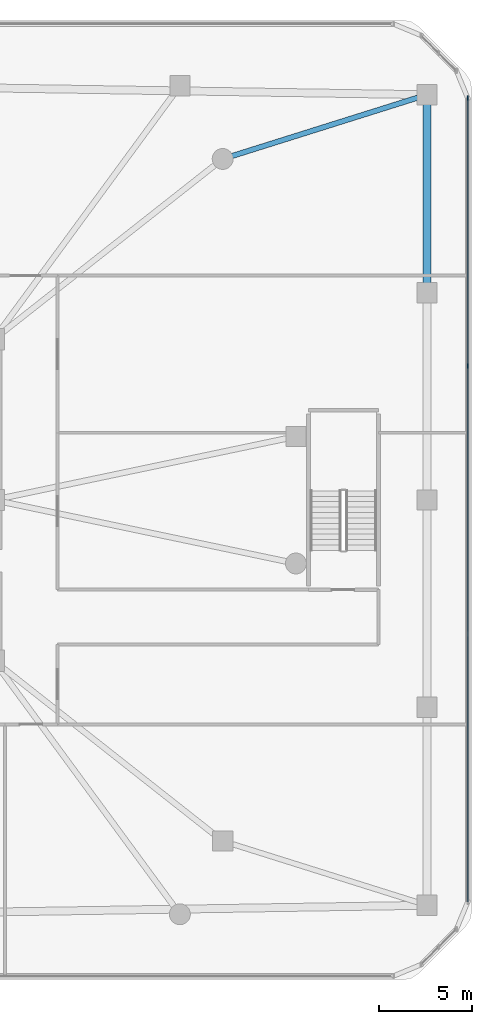
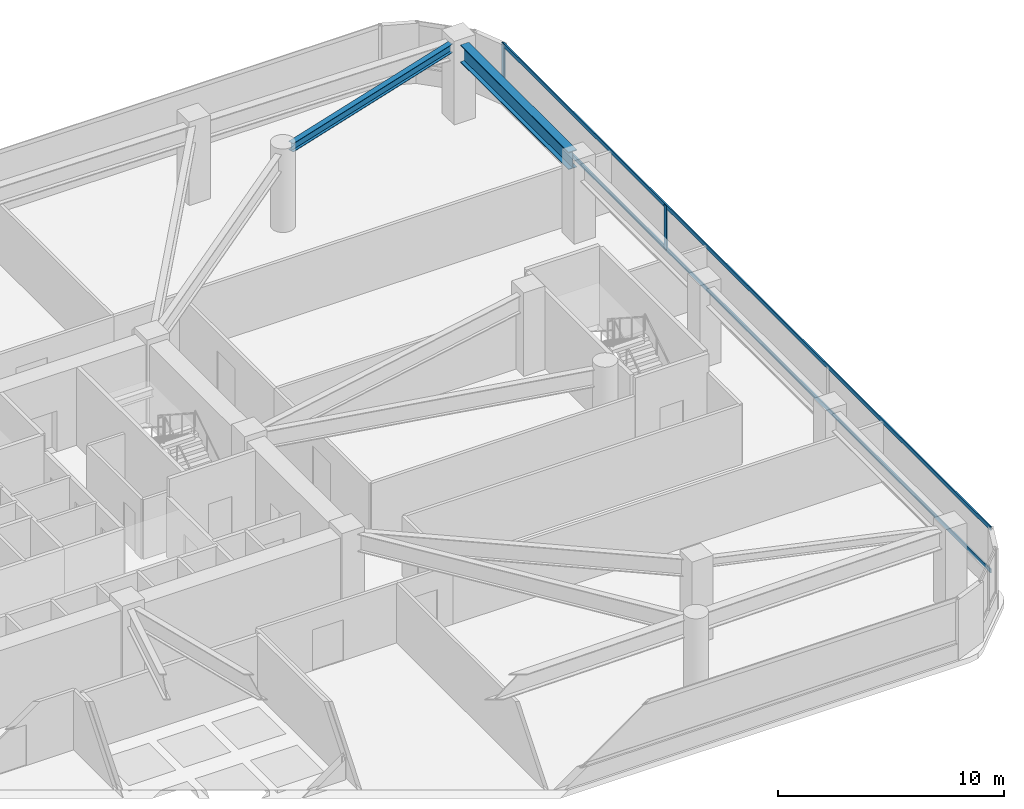
# One storey, part 10 of 21: 4 members, 2 beams, 1 element without a shape of its own.
"""IFC4 building model written with IfcOpenShell, lengths in metres."""

from ifc_helpers import new_model, si_unit, derived_unit, direction, frame, origin, origin_2d, place, context, subcontext, project, spatial, rectangle, i_section, extrude, material, material_profile, profile_set, type_object, element, aggregate, save


model = new_model("IFC4")

# Units and contexts
model_context = context("Model", 3, precision=1e-05, world=origin(), true_north=direction((0.0, 1.0)))
body_context = subcontext(model_context, "Body", "Model", "MODEL_VIEW")
ifc_project = project(units=[si_unit("LENGTHUNIT", "METRE"), si_unit("AREAUNIT", "SQUARE_METRE"), si_unit("VOLUMEUNIT", "CUBIC_METRE"), si_unit("PLANEANGLEUNIT", "RADIAN"), si_unit("MASSUNIT", "GRAM", prefix="KILO"), derived_unit("THERMALTRANSMITTANCEUNIT", [(si_unit("POWERUNIT", "WATT"), 1), (si_unit("LENGTHUNIT", "METRE"), -2), (si_unit("THERMODYNAMICTEMPERATUREUNIT", "KELVIN"), -1)])], contexts=[model_context])

# Site, building, storey
site_placement = place(None, origin())
site = spatial("IfcSite", under=ifc_project, at=site_placement, CompositionType="ELEMENT")
building_placement = place(site_placement, origin())
building = spatial("IfcBuilding", under=site, at=building_placement, Name="Koralith Skygarden Medical Center", CompositionType="ELEMENT")
storey_placement = place(building_placement, frame((0.0, 0.0, 9.89990234375)))
storey = spatial("IfcBuildingStorey", under=building, at=storey_placement, Name="L02", CompositionType="ELEMENT", Elevation=9.89990234375)

# Curtain wall, members
ifc_material_1 = material(Name="Clear Laminated Glass", Category="glass")
curtain_wall_type = type_object("IfcCurtainWallType", Name="CW-1 Transit & Podium Acoustic Curtain Wall", PredefinedType="NOTDEFINED", material=ifc_material_1)
curtain_wall_placement = place(storey_placement, origin())
curtain_wall = element("IfcCurtainWall", 1, at=curtain_wall_placement, inside=storey, type_object=curtain_wall_type, Name="Curtain Wall CW-L02-E", PredefinedType="NOTDEFINED")
ifc_material_2 = material(Name="Aluminium 6063-T6", Category="aluminium")
ifc_material_profile_1 = material_profile(ifc_material_2, rectangle(XDim=0.068115234375, YDim=0.239990234375, at=origin_2d()), Name="MUL68X240")
ifc_profile_set_1 = profile_set([ifc_material_profile_1], Name="Aluminium 6063-T6")
member_type_1 = type_object("IfcMemberType", Name="CW-1 Extruded Mullion 68x240", PredefinedType="MULLION", material=ifc_profile_set_1)
member_1_placement = place(storey_placement, frame((73.580078125, 33.073974609375, 0.85009765625), z_axis=(0.0, 0.0, 1.0), x_axis=(1.0, 0.0, 0.0)))
member_1 = element("IfcMember", 2, at=member_1_placement, type_object=member_type_1, Name="CW-L02-E Mullion 3", PredefinedType="MULLION", context=body_context, shape_type="SweptSolid", body=[
    extrude(rectangle(XDim=0.068115234375, YDim=0.239990234375, at=origin_2d()), origin(), (0.0, 0.0, 1.0), 2.389892578125),
])
member_2_placement = place(storey_placement, frame((73.580078125, 47.4208984375, 0.85009765625), z_axis=(0.0, 0.0, 1.0), x_axis=(1.0, 0.0, 0.0)))
member_2 = element("IfcMember", 3, at=member_2_placement, type_object=member_type_1, Name="CW-L02-E Mullion 4", PredefinedType="MULLION", context=body_context, shape_type="SweptSolid", body=[
    extrude(rectangle(XDim=0.068115234375, YDim=0.239990234375, at=origin_2d()), origin(), (0.0, 0.0, 1.0), 2.389892578125),
])
ifc_material_profile_2 = material_profile(ifc_material_2, rectangle(XDim=0.06298828125, YDim=0.216064453125, at=origin_2d()), Name="TRN63X216")
ifc_profile_set_2 = profile_set([ifc_material_profile_2], Name="Aluminium 6063-T6")
member_type_2 = type_object("IfcMemberType", Name="CW-1 Thermal Transom 63x216", PredefinedType="USERDEFINED", material=ifc_profile_set_2)
member_3_placement = place(storey_placement, frame((73.580078125, 4.37890625, 0.900146484375), z_axis=(0.0, 1.0, 0.0), x_axis=(-1.0, 0.0, 0.0)))
member_3 = element("IfcMember", 4, at=member_3_placement, type_object=member_type_2, Name="CW-L02-E Transom 1", ObjectType="TRANSOM", PredefinedType="USERDEFINED", context=body_context, shape_type="SweptSolid", body=[
    extrude(rectangle(XDim=0.06298828125, YDim=0.216064453125, at=origin_2d()), origin(), (0.0, 0.0, 1.0), 43.0419921875),
])
member_4_placement = place(storey_placement, frame((73.580078125, 4.37890625, 3.190185546875), z_axis=(0.0, 1.0, 0.0), x_axis=(-1.0, 0.0, 0.0)))
member_4 = element("IfcMember", 5, at=member_4_placement, type_object=member_type_2, Name="CW-L02-E Transom 2", ObjectType="TRANSOM", PredefinedType="USERDEFINED", context=body_context, shape_type="SweptSolid", body=[
    extrude(rectangle(XDim=0.06298828125, YDim=0.216064453125, at=origin_2d()), origin(), (0.0, 0.0, 1.0), 43.0419921875),
])
aggregate(curtain_wall, [member_1, member_2, member_3, member_4])

# Beams
ifc_material_3 = material(Name="Steel ASTM A992 Grade 50", Category="steel")
ifc_material_profile_3 = material_profile(ifc_material_3, i_section(OverallWidth=0.423095703125, OverallDepth=0.947998046875, WebThickness=0.02392578125, FlangeThickness=0.042724609375, at=origin_2d()), Name="W36X302")
ifc_profile_set_3 = profile_set([ifc_material_profile_3], Name="Steel ASTM A992 Grade 50")
beam_type_1 = type_object("IfcBeamType", Name="Podium Concourse Girder W36X302", PredefinedType="BEAM", material=ifc_profile_set_3)
beam_1_placement = place(storey_placement, frame((71.39990234375, 37.52001953125, 3.72607421875), z_axis=(0.0, 1.0, 0.0), x_axis=(-1.0, 0.0, 0.0)))
element("IfcBeam", 6, at=beam_1_placement, inside=storey, type_object=beam_type_1, Name="L02 Podium Perimeter Beam PB-08", PredefinedType="BEAM", context=body_context, shape_type="SweptSolid", body=[
    extrude(i_section(OverallWidth=0.423095703125, OverallDepth=0.947998046875, WebThickness=0.02392578125, FlangeThickness=0.042724609375, at=origin_2d()), origin(), (0.0, 0.0, 1.0), 9.56005859375),
])
ifc_material_profile_4 = material_profile(ifc_material_3, i_section(OverallWidth=0.281982421875, OverallDepth=0.467041015625, WebThickness=0.01220703125, FlangeThickness=0.01953125, at=origin_2d()), Name="W18X86")
ifc_profile_set_4 = profile_set([ifc_material_profile_4], Name="Steel ASTM A992 Grade 50")
beam_type_2 = type_object("IfcBeamType", Name="Podium Floor Joist W18X86", PredefinedType="JOIST", material=ifc_profile_set_4)
beam_2_placement = place(storey_placement, frame((60.9560546875, 44.31591796875, 3.967041015625), z_axis=(0.95394817002, 0.29997148017, 0.0), x_axis=(-0.29997148017, 0.95394817002, 0.0)))
element("IfcBeam", 7, at=beam_2_placement, inside=storey, type_object=beam_type_2, Name="L02 Podium Floor Joist PJ-04", PredefinedType="JOIST", context=body_context, shape_type="SweptSolid", body=[
    extrude(i_section(OverallWidth=0.281982421875, OverallDepth=0.467041015625, WebThickness=0.01220703125, FlangeThickness=0.01953125, at=origin_2d()), origin(), (0.0, 0.0, 1.0), 10.42822265625),
])

save(model, "model.ifc")
